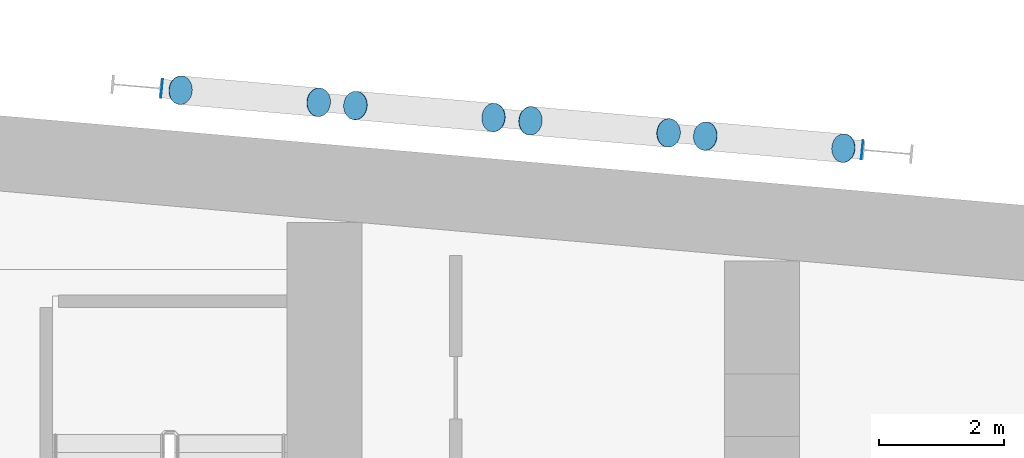
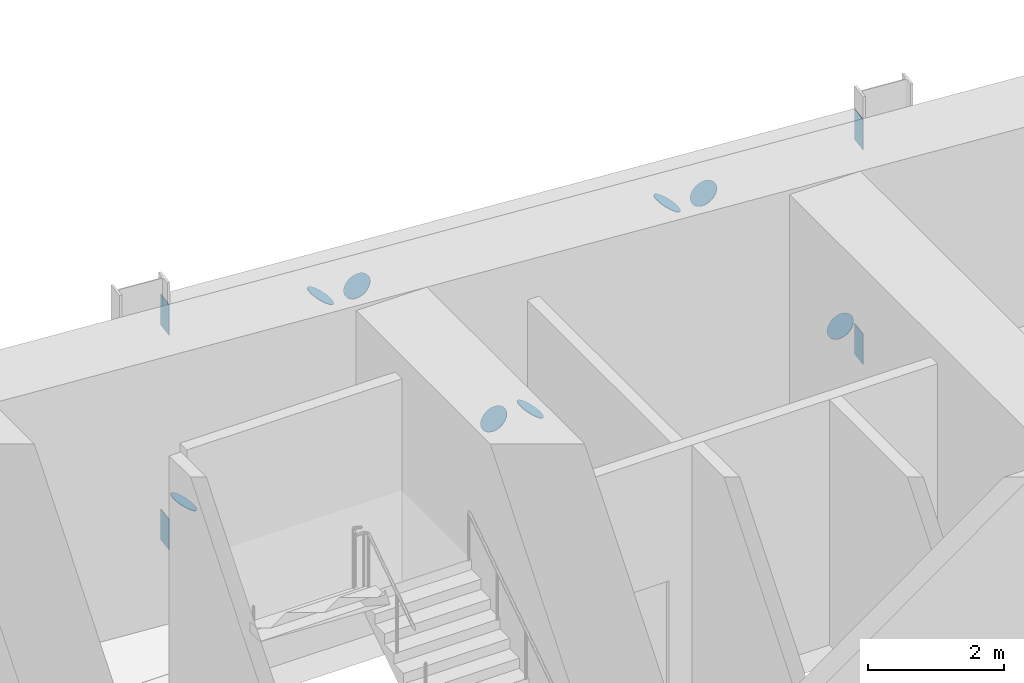
# One storey, part 31 of 39: 12 discrete accessories.
"""IFC4 building model written with IfcOpenShell, lengths in metres."""

import ifcopenshell
import ifcopenshell.guid

model = None  # the IFC model being written
_history = None  # IfcOwnerHistory: only IFC2X3 demands one
_inside = {}  # id of a spatial element -> (the spatial element, [elements in it])
_under = {}  # id of a project, library or spatial element -> (it, [spatial elements below it])
_declared = {}  # id of a project -> (the project, [libraries it declares])
_typed = {}  # id of a type object -> (the type object, [elements of that type])
_made_of = {}  # id of a material, layer set ... -> (it, [elements and type objects made of it])


def new_model(schema):
    """Start an empty IFC model of exactly this schema.

    Asked for "IFC4X3", IfcOpenShell would pick the latest addendum, in which some entities
    have other attributes; the version numbers below select the first issue.
    IFC2X3 requires an IfcOwnerHistory on every rooted entity: one is made here for all.
    """
    global model, _history
    if schema == "IFC4X3":
        model = ifcopenshell.file(schema_version=(4, 3, 0, 0))
    else:
        model = ifcopenshell.file(schema=schema)
    _inside.clear()
    _under.clear()
    _declared.clear()
    _typed.clear()
    _made_of.clear()
    _history = None
    if model.schema == "IFC2X3":
        org = make("IfcOrganization", Name="unknown")
        user = make(
            "IfcPersonAndOrganization",
            ThePerson=make("IfcPerson", FamilyName="unknown"),
            TheOrganization=org,
        )
        app = make(
            "IfcApplication",
            ApplicationDeveloper=org,
            Version="unknown",
            ApplicationFullName="unknown",
            ApplicationIdentifier="unknown",
        )
        _history = make(
            "IfcOwnerHistory",
            OwningUser=user,
            OwningApplication=app,
            ChangeAction="ADDED",
            CreationDate=0,
        )
    return model


def make(cls, **values):
    """One entity of the class cls with the attributes given. An attribute that is None is left unset."""
    return model.create_entity(
        cls, **{name: value for name, value in values.items() if value is not None}
    )


def rooted(cls, **values):
    """An entity with a GlobalId (a new one), such as an element, a storey or a relation."""
    return make(cls, GlobalId=ifcopenshell.guid.new(), OwnerHistory=_history, **values)


def si_unit(unit_type, name, prefix=None):
    """IfcSIUnit, for example si_unit("LENGTHUNIT", "METRE", prefix="MILLI")."""
    return make("IfcSIUnit", UnitType=unit_type, Prefix=prefix, Name=name)


def assignment(units):
    """IfcUnitAssignment: the units of a project."""
    return None if units is None else make("IfcUnitAssignment", Units=units)


def point(xyz):
    """IfcCartesianPoint."""
    return None if xyz is None else make("IfcCartesianPoint", Coordinates=xyz)


def direction(xyz):
    """IfcDirection."""
    return None if xyz is None else make("IfcDirection", DirectionRatios=xyz)


def frame(location, z_axis=None, x_axis=None):
    """IfcAxis2Placement3D, a coordinate frame: its origin and axes. An axis left out is left unset."""
    return make(
        "IfcAxis2Placement3D",
        Location=point(location),
        Axis=direction(z_axis),
        RefDirection=direction(x_axis),
    )


def frame_2d(location, x_axis=None):
    """IfcAxis2Placement2D, a coordinate frame in the plane: its origin and x axis."""
    return make(
        "IfcAxis2Placement2D", Location=point(location), RefDirection=direction(x_axis)
    )


def origin():
    """The frame at (0, 0, 0) with its axes left unset."""
    return frame((0.0, 0.0, 0.0))


def origin_2d():
    """The frame at (0, 0) in the plane with its x axis left unset."""
    return frame_2d((0.0, 0.0))


def place(relative_to, where):
    """IfcLocalPlacement: puts the frame where relative to a parent placement (None: the world)."""
    return make(
        "IfcLocalPlacement", PlacementRelTo=relative_to, RelativePlacement=where
    )


def context(
    kind, dimensions, precision=None, world=None, true_north=None, identifier=None
):
    """IfcGeometricRepresentationContext, for example the 3D "Model" context."""
    return make(
        "IfcGeometricRepresentationContext",
        ContextIdentifier=identifier,
        ContextType=kind,
        CoordinateSpaceDimension=dimensions,
        Precision=precision,
        WorldCoordinateSystem=world,
        TrueNorth=true_north,
    )


def subcontext(parent, identifier, kind, view, scale=None):
    """IfcGeometricRepresentationSubContext, for example "Body" below "Model"."""
    return make(
        "IfcGeometricRepresentationSubContext",
        ContextIdentifier=identifier,
        ContextType=kind,
        ParentContext=parent,
        TargetScale=scale,
        TargetView=view,
    )


def project(units=None, contexts=None):
    """IfcProject with its units and contexts."""
    return rooted(
        "IfcProject",
        Name="project",
        RepresentationContexts=contexts,
        UnitsInContext=assignment(units),
    )


def spatial(cls, under=None, at=None, **own):
    """A site, building, storey or space (cls), placed at a placement, below another one or the project."""
    s = rooted(cls, ObjectPlacement=at, **own)
    if under is not None:
        _under.setdefault(under.id(), (under, []))[1].append(s)
    return s


def profile(cls, at=None, kind="AREA", **sizes):
    """A parametric profile (cls). Its sizes go by their IFC names, for example OverallWidth=200.0."""
    return make(cls, ProfileType=kind, Position=at, **sizes)


def rectangle(**sizes):
    """IfcRectangleProfileDef."""
    return profile("IfcRectangleProfileDef", **sizes)


def circle(**sizes):
    """IfcCircleProfileDef."""
    return profile("IfcCircleProfileDef", **sizes)


def extrude(swept, where, along, depth):
    """IfcExtrudedAreaSolid: the profile swept, set in the frame where, extruded along a direction by depth."""
    return make(
        "IfcExtrudedAreaSolid",
        SweptArea=swept,
        Position=where,
        ExtrudedDirection=direction(along),
        Depth=depth,
    )


def shape(context_of_items, identifier, shape_type, items):
    """IfcShapeRepresentation: the items that make up one representation, for example the "Body"."""
    return make(
        "IfcShapeRepresentation",
        ContextOfItems=context_of_items,
        RepresentationIdentifier=identifier,
        RepresentationType=shape_type,
        Items=items,
    )


def material(Name=None, Category=None):
    """IfcMaterial."""
    return make("IfcMaterial", Name=Name, Category=Category)


def material_profile(
    of_material, cross_section, Name=None, Category=None, Priority=None
):
    """IfcMaterialProfile: a cross section and its material."""
    return make(
        "IfcMaterialProfile",
        Name=Name,
        Material=of_material,
        Profile=cross_section,
        Priority=Priority,
        Category=Category,
    )


def profile_set(profiles, Name=None, composite=None):
    """IfcMaterialProfileSet."""
    return make(
        "IfcMaterialProfileSet",
        Name=Name,
        MaterialProfiles=profiles,
        CompositeProfile=composite,
    )


def made_of(thing, what):
    """Note that an element or type object is made of a material, layer set ...; save() writes the relation."""
    if what is not None:
        _made_of.setdefault(what.id(), (what, []))[1].append(thing)
    return thing


def type_object(cls, material=None, **own):
    """A type object (cls), such as IfcWallType, which elements share."""
    return made_of(rooted(cls, **own), material)


def element(
    cls,
    number,
    at=None,
    inside=None,
    cuts=None,
    type_object=None,
    material=None,
    context=None,
    identifier="Body",
    shape_type=None,
    held_by="IfcProductDefinitionShape",
    body=None,
    shapes=None,
    **own,
):
    """One element of the class cls, such as IfcWall. Its Tag is "e" and its number.

    at: its placement. inside: the storey or other place that contains it. cuts: it is an
    opening in that element (IfcRelVoidsElement). A single representation is given by context,
    identifier, shape_type and body (its items); several are given by shapes. held_by: the class
    of the entity that holds the representations. save() writes the other relations.
    """
    e = rooted(cls, Tag="e%d" % number, ObjectPlacement=at, **own)
    if body is not None:
        shapes = [shape(context, identifier, shape_type, body)]
    if shapes is not None:
        e.Representation = make(held_by, Representations=shapes)
    if inside is not None:
        _inside.setdefault(inside.id(), (inside, []))[1].append(e)
    if cuts is not None:
        rooted(
            "IfcRelVoidsElement", RelatingBuildingElement=cuts, RelatedOpeningElement=e
        )
    if type_object is not None:
        _typed.setdefault(type_object.id(), (type_object, []))[1].append(e)
    return made_of(e, material)


def aggregate(whole, parts):
    """IfcRelAggregates: a whole, such as a stair, and the parts it consists of."""
    return rooted("IfcRelAggregates", RelatingObject=whole, RelatedObjects=parts)


def save(model, path):
    """Write the relations noted so far, then the file.

    IfcRelAggregates (storeys below a building ...), IfcRelContainedInSpatialStructure (elements
    in a storey), IfcRelDefinesByType, IfcRelAssociatesMaterial and IfcRelDeclares: one each for
    every whole, place, type object, material and project.
    """
    for whole, parts in _under.values():
        aggregate(whole, parts)
    for where, things in _inside.values():
        rooted(
            "IfcRelContainedInSpatialStructure",
            RelatedElements=things,
            RelatingStructure=where,
        )
    for kind, things in _typed.values():
        rooted("IfcRelDefinesByType", RelatedObjects=things, RelatingType=kind)
    for what, things in _made_of.values():
        rooted("IfcRelAssociatesMaterial", RelatedObjects=things, RelatingMaterial=what)
    for by, libraries in _declared.values():
        rooted("IfcRelDeclares", RelatingContext=by, RelatedDefinitions=libraries)
    model.write(path)


model = new_model("IFC4")

# Units and contexts
model_context = context("Model", 3, precision=1e-05, world=origin(), true_north=direction((0.0, 1.0)))
body_context = subcontext(model_context, "Body", "Model", "MODEL_VIEW")
ifc_project = project(units=[si_unit("LENGTHUNIT", "METRE"), si_unit("AREAUNIT", "SQUARE_METRE"), si_unit("VOLUMEUNIT", "CUBIC_METRE"), si_unit("PLANEANGLEUNIT", "RADIAN"), si_unit("MASSUNIT", "GRAM", prefix="KILO")], contexts=[model_context])

# Site, building, storey
site_placement = place(None, origin())
site = spatial("IfcSite", under=ifc_project, at=site_placement, CompositionType="ELEMENT")
building_placement = place(site_placement, origin())
building = spatial("IfcBuilding", under=site, at=building_placement, Name="Wharfspan Tower", CompositionType="ELEMENT")
storey_placement = place(building_placement, frame((0.0, 0.0, 91.899902)))
storey = spatial("IfcBuildingStorey", under=building, at=storey_placement, Name="L20", CompositionType="ELEMENT", Elevation=91.899902)

# Discrete accessories
ifc_material_1 = material(Name="Steel S460NH", Category="steel")
ifc_material_profile_1 = material_profile(ifc_material_1, circle(Radius=0.228516, at=origin_2d()))
ifc_profile_set_1 = profile_set([ifc_material_profile_1], Name="Steel S460NH")
discrete_accessory_type_1 = type_object("IfcDiscreteAccessoryType", Name="End plate CHS 457x16", PredefinedType="BRACKET", material=ifc_profile_set_1)
discrete_accessory_1_placement = place(storey_placement, frame((59.302734, 49.945801, 0.676758), z_axis=(-0.587466, 0.048956, 0.807766), x_axis=(-0.083046, -0.996542, 0.0)))
element("IfcDiscreteAccessory", 1, at=discrete_accessory_1_placement, inside=storey, type_object=discrete_accessory_type_1, Name="End plate CHS 457x16", PredefinedType="BRACKET", context=body_context, shape_type="SweptSolid", body=[
    extrude(circle(Radius=0.228516, at=origin_2d()), origin(), (0.0, 0.0, 1.0), 0.01001),
])
for number, where, z_axis, x_axis, name in (
    (2, (57.094971, 50.138916, 3.715332), (-0.576018, 0.048002, 0.816026), (-0.083046, -0.996542, 0.0), "End plate CHS 457x16"),
    (3, (56.505615, 50.190674, 3.723633), (-0.576018, 0.048002, -0.816026), (-0.083046, -0.996542, 0.0), "End plate CHS 457x16"),
):
    element("IfcDiscreteAccessory", number, at=place(storey_placement, frame(where, z_axis=z_axis, x_axis=x_axis)), inside=storey, type_object=discrete_accessory_type_1, Name=name, PredefinedType="BRACKET", context=body_context, shape_type="SweptSolid", body=[
        extrude(circle(Radius=0.228516, at=origin_2d()), origin(), (0.0, 0.0, 1.0), 0.010254),
    ])
for number, where, z_axis, x_axis, name in (
    (4, (54.297607, 50.383789, 0.684814), (-0.587466, 0.048956, -0.807766), (-0.083046, -0.996542, 0.0), "End plate CHS 457x16"),
    (5, (53.708252, 50.435303, 0.676758), (-0.587466, 0.048956, 0.807766), (-0.083046, -0.996542, 0.0), "End plate CHS 457x16"),
):
    element("IfcDiscreteAccessory", number, at=place(storey_placement, frame(where, z_axis=z_axis, x_axis=x_axis)), inside=storey, type_object=discrete_accessory_type_1, Name=name, PredefinedType="BRACKET", context=body_context, shape_type="SweptSolid", body=[
        extrude(circle(Radius=0.228516, at=origin_2d()), origin(), (0.0, 0.0, 1.0), 0.01001),
    ])
for number, where, z_axis, x_axis, name in (
    (6, (51.500244, 50.628418, 3.715332), (-0.576018, 0.048002, 0.816026), (-0.083046, -0.996542, 0.0), "End plate CHS 457x16"),
    (7, (50.910889, 50.679932, 3.723633), (-0.576018, 0.048002, -0.816026), (-0.083046, -0.996542, 0.0), "End plate CHS 457x16"),
):
    element("IfcDiscreteAccessory", number, at=place(storey_placement, frame(where, z_axis=z_axis, x_axis=x_axis)), inside=storey, type_object=discrete_accessory_type_1, Name=name, PredefinedType="BRACKET", context=body_context, shape_type="SweptSolid", body=[
        extrude(circle(Radius=0.228516, at=origin_2d()), origin(), (0.0, 0.0, 1.0), 0.010254),
    ])
discrete_accessory_2_placement = place(storey_placement, frame((48.703125, 50.873291, 0.684814), z_axis=(-0.587466, 0.048956, -0.807766), x_axis=(-0.083046, -0.996542, 0.0)))
element("IfcDiscreteAccessory", 8, at=discrete_accessory_2_placement, inside=storey, type_object=discrete_accessory_type_1, Name="End plate CHS 457x16", PredefinedType="BRACKET", context=body_context, shape_type="SweptSolid", body=[
    extrude(circle(Radius=0.228516, at=origin_2d()), origin(), (0.0, 0.0, 1.0), 0.01001),
])
ifc_material_2 = material(Name="Steel S355J2", Category="steel")
ifc_material_profile_2 = material_profile(ifc_material_2, rectangle(XDim=0.300049, YDim=0.550049, at=origin_2d()))
ifc_profile_set_2 = profile_set([ifc_material_profile_2], Name="Steel S355J2")
discrete_accessory_type_2 = type_object("IfcDiscreteAccessoryType", Name="End plate HEB 550", PredefinedType="BRACKET", material=ifc_profile_set_2)
for number, where, z_axis, x_axis, name in (
    (9, (59.604492, 49.919434, 4.125), (-0.995275, 0.0971, 0.0), (-0.0971, -0.995275, 0.0), "End plate HEB 550"),
    (10, (48.405518, 50.89917, 4.125), (-0.995275, 0.0971, 0.0), (-0.0971, -0.995275, 0.0), "End plate HEB 550"),
    (11, (59.604492, 49.919434, 0.275146), (-0.995275, 0.0971, 0.0), (-0.0971, -0.995275, 0.0), "End plate HEB 550"),
    (12, (48.405518, 50.89917, 0.275146), (-0.995275, 0.0971, 0.0), (-0.0971, -0.995275, 0.0), "End plate HEB 550"),
):
    element("IfcDiscreteAccessory", number, at=place(storey_placement, frame(where, z_axis=z_axis, x_axis=x_axis)), inside=storey, type_object=discrete_accessory_type_2, Name=name, PredefinedType="BRACKET", context=body_context, shape_type="SweptSolid", body=[
        extrude(rectangle(XDim=0.300049, YDim=0.550049, at=origin_2d()), origin(), (0.0, 0.0, 1.0), 0.01001),
    ])

save(model, "model.ifc")
